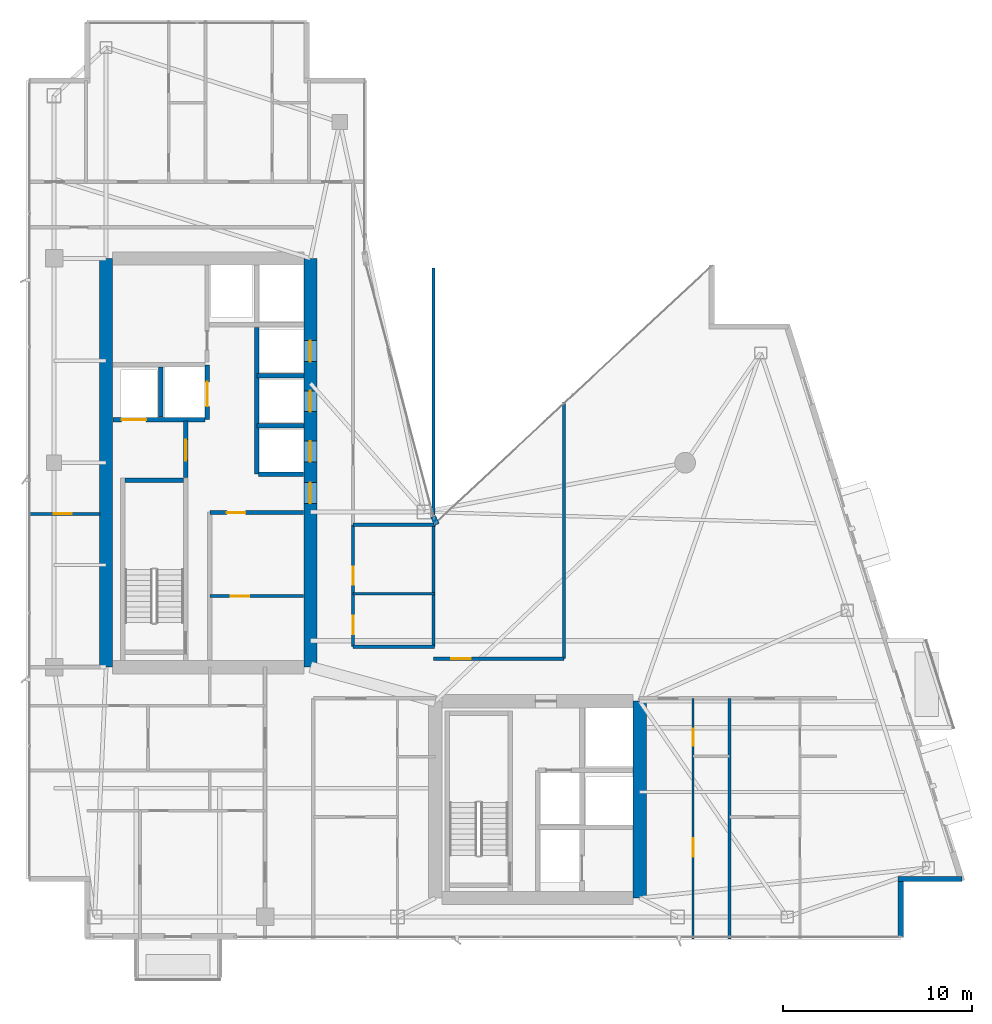
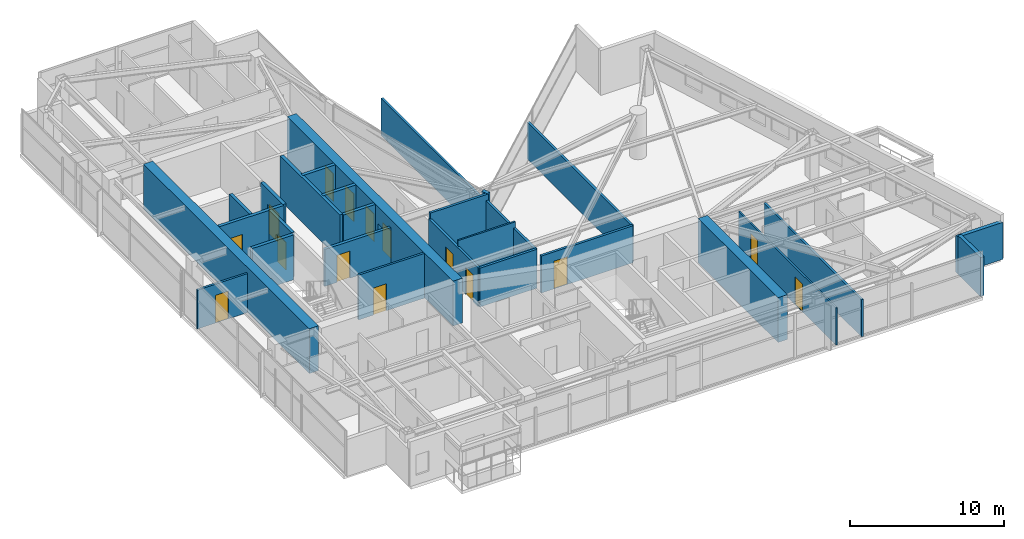
# One storey, part 23 of 27: 28 walls, 15 doors, 15 openings.
"""IFC4 building model written with IfcOpenShell, lengths in metres."""

from ifc_helpers import new_model, si_unit, direction, frame, frame_2d, origin, place, context, subcontext, project, spatial, rectangle, extrude, material, layer, layer_set, type_object, element, fill, save


model = new_model("IFC4")

# Units and contexts
model_context = context("Model", 3, precision=1e-05, world=origin(), true_north=direction((0.0, 1.0)))
body_context = subcontext(model_context, "Body", "Model", "MODEL_VIEW")
ifc_project = project(units=[si_unit("LENGTHUNIT", "METRE"), si_unit("AREAUNIT", "SQUARE_METRE"), si_unit("VOLUMEUNIT", "CUBIC_METRE"), si_unit("PLANEANGLEUNIT", "RADIAN"), si_unit("MASSUNIT", "GRAM", prefix="KILO")], contexts=[model_context])

# Site, building, storey
site_placement = place(None, origin())
site = spatial("IfcSite", under=ifc_project, at=site_placement, CompositionType="ELEMENT")
building_placement = place(site_placement, origin())
building = spatial("IfcBuilding", under=site, at=building_placement, Name="Calvorn Quay Hotel", CompositionType="ELEMENT")
storey_placement = place(building_placement, frame((0.0, 0.0, 223.10009765625)))
storey = spatial("IfcBuildingStorey", under=building, at=storey_placement, Name="L55", CompositionType="ELEMENT", Elevation=223.10009765625)

# Wall
ifc_material_1 = material(Name="Concrete C45", Category="concrete")
ifc_layer_1 = layer(ifc_material_1, 0.699951171875)
ifc_layer_set_1 = layer_set([ifc_layer_1], Name="WL-CORE-700")
wall_type_1 = type_object("IfcWallType", Name="WL-CORE-700", PredefinedType="SHEAR", material=ifc_layer_set_1)
wall_1_placement = place(storey_placement, frame((4.199951171875, 16.800048828125, 0.0), z_axis=(0.0, 0.0, 1.0), x_axis=(0.0, 1.0, 0.0)))
element("IfcWall", 1, at=wall_1_placement, inside=storey, type_object=wall_type_1, Name="West Core Shear Wall W (L55)", PredefinedType="SHEAR", context=body_context, shape_type="SweptSolid", body=[
    extrude(rectangle(XDim=21.599853515625, YDim=0.699951171875, at=frame_2d((10.7998046875, 0.0))), origin(), (0.0, 0.0, 1.0), 3.559814453125),
])

# Wall, openings, doors
wall_2_placement = place(storey_placement, frame((15.0, 16.800048828125, 0.0), z_axis=(0.0, 0.0, 1.0), x_axis=(0.0, 1.0, 0.0)))
wall_2 = element("IfcWall", 2, at=wall_2_placement, inside=storey, type_object=wall_type_1, Name="West Core Shear Wall E (L55)", PredefinedType="SHEAR", context=body_context, shape_type="SweptSolid", body=[
    extrude(rectangle(XDim=21.599853515625, YDim=0.699951171875, at=frame_2d((10.7998046875, 0.0))), origin(), (0.0, 0.0, 1.0), 3.559814453125),
])
opening_1_placement = place(wall_2_placement, frame((8.64990234375, 0.0, 0.0)))
opening_1 = element("IfcOpeningElement", 3, at=opening_1_placement, cuts=wall_2, Name="Opening D-L55-CW1", PredefinedType="OPENING", context=body_context, shape_type="SweptSolid", body=[
    extrude(rectangle(XDim=1.10009765625, YDim=2.199951171875, at=frame_2d((0.550048828125, 1.10009765625))), frame((0.0, 0.35986328125, 0.0), z_axis=(0.0, -1.0, 0.0), x_axis=(1.0, 0.0, 0.0)), (0.0, 0.0, 1.0), 0.719970703125),
])
opening_2_placement = place(wall_2_placement, frame((10.85009765625, 0.0, 0.0)))
opening_2 = element("IfcOpeningElement", 4, at=opening_2_placement, cuts=wall_2, Name="Opening LD-L55-M1", PredefinedType="OPENING", context=body_context, shape_type="SweptSolid", body=[
    extrude(rectangle(XDim=1.10009765625, YDim=2.199951171875, at=frame_2d((0.550048828125, 1.10009765625))), frame((0.0, 0.35986328125, 0.0), z_axis=(0.0, -1.0, 0.0), x_axis=(1.0, 0.0, 0.0)), (0.0, 0.0, 1.0), 0.719970703125),
])
opening_3_placement = place(wall_2_placement, frame((13.5, 0.0, 0.0)))
opening_3 = element("IfcOpeningElement", 5, at=opening_3_placement, cuts=wall_2, Name="Opening LD-L55-M2", PredefinedType="OPENING", context=body_context, shape_type="SweptSolid", body=[
    extrude(rectangle(XDim=1.10009765625, YDim=2.199951171875, at=frame_2d((0.550048828125, 1.10009765625))), frame((0.0, 0.35986328125, 0.0), z_axis=(0.0, -1.0, 0.0), x_axis=(1.0, 0.0, 0.0)), (0.0, 0.0, 1.0), 0.719970703125),
])
opening_4_placement = place(wall_2_placement, frame((16.14990234375, 0.0, 0.0)))
opening_4 = element("IfcOpeningElement", 6, at=opening_4_placement, cuts=wall_2, Name="Opening LD-L55-M3", PredefinedType="OPENING", context=body_context, shape_type="SweptSolid", body=[
    extrude(rectangle(XDim=1.10009765625, YDim=2.199951171875, at=frame_2d((0.550048828125, 1.10009765625))), frame((0.0, 0.35986328125, 0.0), z_axis=(0.0, -1.0, 0.0), x_axis=(1.0, 0.0, 0.0)), (0.0, 0.0, 1.0), 0.719970703125),
])
ifc_material_2 = material(Name="Smoke-Sealed Steel Class A Fire Door", Category="steel")
door_type_1 = type_object("IfcDoorType", Name="DR-FFLOBBY-1100", OperationType="NOTDEFINED", PredefinedType="DOOR", material=ifc_material_2)
door_1_placement = place(opening_1_placement, origin())
door_1 = element("IfcDoor", 7, at=door_1_placement, inside=storey, type_object=door_type_1, Name="West Core Vestibule Fire Door (L55)", OperationType="SINGLE_SWING_RIGHT", OverallHeight=2.199951171875, OverallWidth=1.10009765625, PredefinedType="DOOR", context=body_context, shape_type="SweptSolid", body=[
    extrude(rectangle(XDim=1.10009765625, YDim=2.199951171875, at=frame_2d((0.550048828125, 1.10009765625))), frame((0.0, 0.02490234375, 0.0), z_axis=(0.0, -1.0, 0.0), x_axis=(1.0, 0.0, 0.0)), (0.0, 0.0, 1.0), 0.050048828125),
])
fill(opening_1, door_1)
ifc_material_3 = material(Name="Brushed Stainless Steel Sliding Lift Landing Door", Category="steel")
door_type_2 = type_object("IfcDoorType", Name="DR-LIFT-PASS-1100", OperationType="NOTDEFINED", PredefinedType="DOOR", material=ifc_material_3)
door_2_placement = place(opening_2_placement, origin())
door_2 = element("IfcDoor", 8, at=door_2_placement, inside=storey, type_object=door_type_2, Name="Mid-Rise Lift PL-M1 Landing Door (L55)", OperationType="DOUBLE_DOOR_SLIDING", OverallHeight=2.199951171875, OverallWidth=1.10009765625, PredefinedType="DOOR", context=body_context, shape_type="SweptSolid", body=[
    extrude(rectangle(XDim=1.10009765625, YDim=2.199951171875, at=frame_2d((0.550048828125, 1.10009765625))), frame((0.0, 0.02490234375, 0.0), z_axis=(0.0, -1.0, 0.0), x_axis=(1.0, 0.0, 0.0)), (0.0, 0.0, 1.0), 0.050048828125),
])
fill(opening_2, door_2)
door_3_placement = place(opening_3_placement, origin())
door_3 = element("IfcDoor", 9, at=door_3_placement, inside=storey, type_object=door_type_2, Name="Mid-Rise Lift PL-M2 Landing Door (L55)", OperationType="DOUBLE_DOOR_SLIDING", OverallHeight=2.199951171875, OverallWidth=1.10009765625, PredefinedType="DOOR", context=body_context, shape_type="SweptSolid", body=[
    extrude(rectangle(XDim=1.10009765625, YDim=2.199951171875, at=frame_2d((0.550048828125, 1.10009765625))), frame((0.0, 0.02490234375, 0.0), z_axis=(0.0, -1.0, 0.0), x_axis=(1.0, 0.0, 0.0)), (0.0, 0.0, 1.0), 0.050048828125),
])
fill(opening_3, door_3)
door_4_placement = place(opening_4_placement, origin())
door_4 = element("IfcDoor", 10, at=door_4_placement, inside=storey, type_object=door_type_2, Name="Mid-Rise Lift PL-M3 Landing Door (L55)", OperationType="DOUBLE_DOOR_SLIDING", OverallHeight=2.199951171875, OverallWidth=1.10009765625, PredefinedType="DOOR", context=body_context, shape_type="SweptSolid", body=[
    extrude(rectangle(XDim=1.10009765625, YDim=2.199951171875, at=frame_2d((0.550048828125, 1.10009765625))), frame((0.0, 0.02490234375, 0.0), z_axis=(0.0, -1.0, 0.0), x_axis=(1.0, 0.0, 0.0)), (0.0, 0.0, 1.0), 0.050048828125),
])
fill(opening_4, door_4)

# Walls
wall_3_placement = place(storey_placement, frame((32.39990234375, 4.60009765625, 0.0), z_axis=(0.0, 0.0, 1.0), x_axis=(0.0, 1.0, 0.0)))
element("IfcWall", 11, at=wall_3_placement, inside=storey, type_object=wall_type_1, Name="East Core Shear Wall E (L55)", PredefinedType="SHEAR", context=body_context, shape_type="SweptSolid", body=[
    extrude(rectangle(XDim=10.39990234375, YDim=0.699951171875, at=frame_2d((5.199951171875, 0.0))), origin(), (0.0, 0.0, 1.0), 3.559814453125),
])
ifc_material_4 = material(Name="Acoustic Fireboard Steel-Stud Partition", Category="steel")
ifc_layer_2 = layer(ifc_material_4, 0.179931640625)
ifc_layer_set_2 = layer_set([ifc_layer_2], Name="WL-CORR-FIRE-180")
wall_type_2 = type_object("IfcWallType", Name="WL-CORR-FIRE-180", PredefinedType="PARTITIONING", material=ifc_layer_set_2)
wall_4_placement = place(storey_placement, frame((17.25, 17.8798828125, 0.0), z_axis=(0.0, 0.0, 1.0), x_axis=(1.0, 0.0, 0.0)))
element("IfcWall", 12, at=wall_4_placement, inside=storey, type_object=wall_type_2, Name="Partition Wall L55-WL-HK-S", PredefinedType="PARTITIONING", context=body_context, shape_type="SweptSolid", body=[
    extrude(rectangle(XDim=4.300048828125, YDim=0.179931640625, at=frame_2d((2.14990234375, 0.0))), origin(), (0.0, 0.0, 1.0), 3.08984375),
])
wall_5_placement = place(storey_placement, frame((17.25, 24.320068359375, 0.0), z_axis=(0.0, 0.0, 1.0), x_axis=(1.0, 0.0, 0.0)))
element("IfcWall", 13, at=wall_5_placement, inside=storey, type_object=wall_type_2, Name="Partition Wall L55-WL-HK-N", PredefinedType="PARTITIONING", context=body_context, shape_type="SweptSolid", body=[
    extrude(rectangle(XDim=4.35009765625, YDim=0.179931640625, at=frame_2d((2.175048828125, 0.0))), origin(), (0.0, 0.0, 1.0), 3.559814453125),
])
wall_6_placement = place(storey_placement, frame((21.5, 17.8798828125, 0.0), z_axis=(0.0, 0.0, 1.0), x_axis=(0.0, 1.0, 0.0)))
element("IfcWall", 14, at=wall_6_placement, inside=storey, type_object=wall_type_2, Name="Partition Wall L55-WL-HK-E", PredefinedType="PARTITIONING", context=body_context, shape_type="SweptSolid", body=[
    extrude(rectangle(XDim=6.440185546875, YDim=0.179931640625, at=frame_2d((3.22021484375, 0.0))), origin(), (0.0, 0.0, 1.0), 3.08984375),
])

# Wall, openings, doors
wall_7_placement = place(storey_placement, frame((17.25, 17.8798828125, 0.0), z_axis=(0.0, 0.0, 1.0), x_axis=(0.0, 1.0, 0.0)))
wall_7 = element("IfcWall", 15, at=wall_7_placement, inside=storey, type_object=wall_type_2, Name="Partition Wall L55-WL-HK-W", PredefinedType="PARTITIONING", context=body_context, shape_type="SweptSolid", body=[
    extrude(rectangle(XDim=6.440185546875, YDim=0.179931640625, at=frame_2d((3.22021484375, 0.0))), origin(), (0.0, 0.0, 1.0), 3.08984375),
])
opening_5_placement = place(wall_7_placement, frame((0.64990234375, 0.0, 0.0)))
opening_5 = element("IfcOpeningElement", 16, at=opening_5_placement, cuts=wall_7, Name="Opening D-L55-HK", PredefinedType="OPENING", context=body_context, shape_type="SweptSolid", body=[
    extrude(rectangle(XDim=0.97998046875, YDim=2.14990234375, at=frame_2d((0.489990234375, 1.074951171875))), frame((0.0, 0.099853515625, 0.0), z_axis=(0.0, -1.0, 0.0), x_axis=(1.0, 0.0, 0.0)), (0.0, 0.0, 1.0), 0.199951171875),
])
opening_6_placement = place(wall_7_placement, frame((3.27001953125, 0.0, 0.0)))
opening_6 = element("IfcOpeningElement", 17, at=opening_6_placement, cuts=wall_7, Name="Opening D-L55-NCP", PredefinedType="OPENING", context=body_context, shape_type="SweptSolid", body=[
    extrude(rectangle(XDim=0.9599609375, YDim=2.199951171875, at=frame_2d((0.47998046875, 1.10009765625))), frame((0.0, 0.099853515625, 0.0), z_axis=(0.0, -1.0, 0.0), x_axis=(1.0, 0.0, 0.0)), (0.0, 0.0, 1.0), 0.199951171875),
])
ifc_material_5 = material(Name="Painted Steel Housekeeping/Riser Fire Door", Category="steel")
door_type_3 = type_object("IfcDoorType", Name="DR-SERVICE-980", OperationType="NOTDEFINED", PredefinedType="DOOR", material=ifc_material_5)
door_5_placement = place(opening_5_placement, origin())
door_5 = element("IfcDoor", 18, at=door_5_placement, inside=storey, type_object=door_type_3, Name="Floor Housekeeping Door (L55)", OperationType="SINGLE_SWING_LEFT", OverallHeight=2.14990234375, OverallWidth=0.97998046875, PredefinedType="DOOR", context=body_context, shape_type="SweptSolid", body=[
    extrude(rectangle(XDim=0.97998046875, YDim=2.14990234375, at=frame_2d((0.489990234375, 1.074951171875))), frame((0.0, 0.02490234375, 0.0), z_axis=(0.0, -1.0, 0.0), x_axis=(1.0, 0.0, 0.0)), (0.0, 0.0, 1.0), 0.050048828125),
])
fill(opening_5, door_5)
ifc_material_6 = material(Name="Solid Timber Internal Suite Door", Category="wood")
door_type_4 = type_object("IfcDoorType", Name="DR-SUITE-INT-960", OperationType="NOTDEFINED", PredefinedType="DOOR", material=ifc_material_6)
door_6_placement = place(opening_6_placement, origin())
door_6 = element("IfcDoor", 19, at=door_6_placement, inside=storey, type_object=door_type_4, Name="Reading Alcove Door (L55)", OperationType="SINGLE_SWING_RIGHT", OverallHeight=2.199951171875, OverallWidth=0.9599609375, PredefinedType="DOOR", context=body_context, shape_type="SweptSolid", body=[
    extrude(rectangle(XDim=0.9599609375, YDim=2.199951171875, at=frame_2d((0.47998046875, 1.10009765625))), frame((0.0, 0.02490234375, 0.0), z_axis=(0.0, -1.0, 0.0), x_axis=(1.0, 0.0, 0.0)), (0.0, 0.0, 1.0), 0.050048828125),
])
fill(opening_6, door_6)

# Wall, opening, door
wall_8_placement = place(storey_placement, frame((21.5, 17.25, 0.0), z_axis=(0.0, 0.0, 1.0), x_axis=(1.0, 0.0, 0.0)))
wall_8 = element("IfcWall", 20, at=wall_8_placement, inside=storey, type_object=wall_type_2, Name="Partition Wall L55-WL-CORR-NE-N", PredefinedType="PARTITIONING", context=body_context, shape_type="SweptSolid", body=[
    extrude(rectangle(XDim=6.89990234375, YDim=0.179931640625, at=frame_2d((3.449951171875, 0.0))), origin(), (0.0, 0.0, 1.0), 2.93994140625),
])
opening_7_placement = place(wall_8_placement, frame((0.949951171875, 0.0, 0.0)))
opening_7 = element("IfcOpeningElement", 21, at=opening_7_placement, cuts=wall_8, Name="Opening D-L55-NS1", PredefinedType="OPENING", context=body_context, shape_type="SweptSolid", body=[
    extrude(rectangle(XDim=1.02001953125, YDim=2.199951171875, at=frame_2d((0.510009765625, 1.10009765625))), frame((0.0, 0.099853515625, 0.0), z_axis=(0.0, -1.0, 0.0), x_axis=(1.0, 0.0, 0.0)), (0.0, 0.0, 1.0), 0.199951171875),
])
ifc_material_7 = material(Name="Solid-Core Walnut Veneer Hotel Fire Door")
door_type_5 = type_object("IfcDoorType", Name="DR-GUEST-ENTRY-1020", OperationType="NOTDEFINED", PredefinedType="DOOR", material=ifc_material_7)
door_7_placement = place(opening_7_placement, origin())
door_7 = element("IfcDoor", 22, at=door_7_placement, inside=storey, type_object=door_type_5, Name="Conservatory Salon Door 1 (L55)", OperationType="SINGLE_SWING_RIGHT", OverallHeight=2.199951171875, OverallWidth=1.02001953125, PredefinedType="DOOR", context=body_context, shape_type="SweptSolid", body=[
    extrude(rectangle(XDim=1.02001953125, YDim=2.199951171875, at=frame_2d((0.510009765625, 1.10009765625))), frame((0.0, 0.02490234375, 0.0), z_axis=(0.0, -1.0, 0.0), x_axis=(1.0, 0.0, 0.0)), (0.0, 0.0, 1.0), 0.050048828125),
])
fill(opening_7, door_7)

# Walls
wall_9_placement = place(storey_placement, frame((28.39990234375, 17.25, 0.0), z_axis=(0.0, 0.0, 1.0), x_axis=(0.0, 1.0, 0.0)))
element("IfcWall", 23, at=wall_9_placement, inside=storey, type_object=wall_type_2, Name="Partition Wall L55-WL-NE-END-E", PredefinedType="PARTITIONING", context=body_context, shape_type="SweptSolid", body=[
    extrude(rectangle(XDim=13.56005859375, YDim=0.179931640625, at=frame_2d((6.780029296875, 0.0))), origin(), (0.0, 0.0, 1.0), 2.93994140625),
])
ifc_material_8 = material(Name="Moisture-Resistant Tile-Backed Partition")
ifc_layer_3 = layer(ifc_material_8, 0.125)
ifc_layer_set_3 = layer_set([ifc_layer_3], Name="WL-ENSUITE-125")
wall_type_3 = type_object("IfcWallType", Name="WL-ENSUITE-125", PredefinedType="PARTITIONING", material=ifc_layer_set_3)
wall_10_placement = place(storey_placement, frame((17.25, 20.679931640625, 0.0), z_axis=(0.0, 0.0, 1.0), x_axis=(1.0, 0.0, 0.0)))
element("IfcWall", 24, at=wall_10_placement, inside=storey, type_object=wall_type_3, Name="Partition Wall L55-WL-HK-M", PredefinedType="PARTITIONING", context=body_context, shape_type="SweptSolid", body=[
    extrude(rectangle(XDim=4.300048828125, YDim=0.125, at=frame_2d((2.14990234375, 0.0))), origin(), (0.0, 0.0, 1.0), 3.559814453125),
])

# Wall, openings, doors
wall_11_placement = place(storey_placement, frame((35.219970703125, 2.43994140625, 0.0), z_axis=(0.0, 0.0, 1.0), x_axis=(0.0, 1.0, 0.0)))
wall_11 = element("IfcWall", 25, at=wall_11_placement, inside=storey, type_object=wall_type_3, Name="Partition Wall L55-WL-U06-BV", PredefinedType="PARTITIONING", context=body_context, shape_type="SweptSolid", body=[
    extrude(rectangle(XDim=12.7099609375, YDim=0.125, at=frame_2d((6.35498046875, 0.0))), origin(), (0.0, 0.0, 1.0), 2.93994140625),
])
opening_8_placement = place(wall_11_placement, frame((4.35009765625, 0.0, 0.0)))
opening_8 = element("IfcOpeningElement", 26, at=opening_8_placement, cuts=wall_11, Name="Opening D-L55-S06", PredefinedType="OPENING", context=body_context, shape_type="SweptSolid", body=[
    extrude(rectangle(XDim=0.9599609375, YDim=2.199951171875, at=frame_2d((0.47998046875, 1.10009765625))), frame((0.0, 0.072509765625, 0.0), z_axis=(0.0, -1.0, 0.0), x_axis=(1.0, 0.0, 0.0)), (0.0, 0.0, 1.0), 0.14501953125),
])
opening_9_placement = place(wall_11_placement, frame((10.2099609375, 0.0, 0.0)))
opening_9 = element("IfcOpeningElement", 27, at=opening_9_placement, cuts=wall_11, Name="Opening D-L55-E06", PredefinedType="OPENING", context=body_context, shape_type="SweptSolid", body=[
    extrude(rectangle(XDim=0.89990234375, YDim=2.14990234375, at=frame_2d((0.449951171875, 1.074951171875))), frame((0.0, 0.072509765625, 0.0), z_axis=(0.0, -1.0, 0.0), x_axis=(1.0, 0.0, 0.0)), (0.0, 0.0, 1.0), 0.14501953125),
])
ifc_material_9 = material(Name="Moisture-Sealed Timber En-Suite Door", Category="wood")
door_type_6 = type_object("IfcDoorType", Name="DR-ENSUITE-900", OperationType="NOTDEFINED", PredefinedType="DOOR", material=ifc_material_9)
door_8_placement = place(opening_9_placement, origin())
door_8 = element("IfcDoor", 28, at=door_8_placement, inside=storey, type_object=door_type_6, Name="En-Suite Door 06", OperationType="SINGLE_SWING_RIGHT", OverallHeight=2.14990234375, OverallWidth=0.89990234375, PredefinedType="DOOR", context=body_context, shape_type="SweptSolid", body=[
    extrude(rectangle(XDim=0.89990234375, YDim=2.14990234375, at=frame_2d((0.449951171875, 1.074951171875))), frame((0.0, 0.02490234375, 0.0), z_axis=(0.0, -1.0, 0.0), x_axis=(1.0, 0.0, 0.0)), (0.0, 0.0, 1.0), 0.050048828125),
])
fill(opening_9, door_8)
door_9_placement = place(opening_8_placement, origin())
door_9 = element("IfcDoor", 29, at=door_9_placement, inside=storey, type_object=door_type_4, Name="Private Executive Study Door 06", OperationType="SINGLE_SWING_LEFT", OverallHeight=2.199951171875, OverallWidth=0.9599609375, PredefinedType="DOOR", context=body_context, shape_type="SweptSolid", body=[
    extrude(rectangle(XDim=0.9599609375, YDim=2.199951171875, at=frame_2d((0.47998046875, 1.10009765625))), frame((0.0, 0.02490234375, 0.0), z_axis=(0.0, -1.0, 0.0), x_axis=(1.0, 0.0, 0.0)), (0.0, 0.0, 1.0), 0.050048828125),
])
fill(opening_8, door_9)

# Walls
ifc_material_10 = material(Name="Concrete C40", Category="concrete")
ifc_layer_4 = layer(ifc_material_10, 0.320068359375)
ifc_layer_set_4 = layer_set([ifc_layer_4], Name="WL-EXT-SPANDREL-320")
wall_type_4 = type_object("IfcWallType", Name="WL-EXT-SPANDREL-320", PredefinedType="SOLIDWALL", material=ifc_layer_set_4)
wall_12_placement = place(storey_placement, frame((21.679931640625, 24.340087890625, 0.0), z_axis=(0.0, 0.0, 1.0), x_axis=(-0.40758134973, 0.913168901875, 0.0)))
element("IfcWall", 30, at=wall_12_placement, inside=storey, type_object=wall_type_4, Name="Inner Court Corner Pier L55-ICJ1", PredefinedType="SOLIDWALL", context=body_context, shape_type="SweptSolid", body=[
    extrude(rectangle(XDim=0.470703125, YDim=0.280029296875, at=frame_2d((0.2353515625, 0.0))), origin(), (0.0, 0.0, 1.0), 3.559814453125),
])
wall_13_placement = place(storey_placement, frame((46.199951171875, 2.52001953125, 0.0), z_axis=(0.0, 0.0, 1.0), x_axis=(0.0, 1.0, 0.0)))
element("IfcWall", 31, at=wall_13_placement, inside=storey, type_object=wall_type_4, Name="Notched Corner Spandrel L55-SE1", PredefinedType="SOLIDWALL", context=body_context, shape_type="SweptSolid", body=[
    extrude(rectangle(XDim=2.93994140625, YDim=0.280029296875, at=frame_2d((1.469970703125, 0.0))), origin(), (0.0, 0.0, 1.0), 3.08984375),
])
wall_14_placement = place(storey_placement, frame((46.06005859375, 5.60009765625, 0.0), z_axis=(0.0, 0.0, 1.0), x_axis=(1.0, 0.0, 0.0)))
element("IfcWall", 32, at=wall_14_placement, inside=storey, type_object=wall_type_4, Name="Notched Corner Spandrel L55-SE2", PredefinedType="SOLIDWALL", context=body_context, shape_type="SweptSolid", body=[
    extrude(rectangle(XDim=3.3798828125, YDim=0.280029296875, at=frame_2d((1.68994140625, 0.0))), origin(), (0.0, 0.0, 1.0), 2.93994140625),
])

# Wall, opening, door
ifc_material_11 = material(Name="Double-Stud Acoustic Gypsum Partition")
ifc_layer_5 = layer(ifc_material_11, 0.159912109375)
ifc_layer_set_5 = layer_set([ifc_layer_5], Name="WL-INTERSUITE-160")
wall_type_5 = type_object("IfcWallType", Name="WL-INTERSUITE-160", PredefinedType="PARTITIONING", material=ifc_layer_set_5)
wall_15_placement = place(storey_placement, frame((9.679931640625, 20.550048828125, 0.0), z_axis=(0.0, 0.0, 1.0), x_axis=(1.0, 0.0, 0.0)))
wall_15 = element("IfcWall", 33, at=wall_15_placement, inside=storey, type_object=wall_type_5, Name="Partition Wall L55-WL-CWW-FR-SPLIT", PredefinedType="PARTITIONING", context=body_context, shape_type="SweptSolid", body=[
    extrude(rectangle(XDim=4.949951171875, YDim=0.159912109375, at=frame_2d((2.47509765625, 0.0))), origin(), (0.0, 0.0, 1.0), 3.559814453125),
])
opening_10_placement = place(wall_15_placement, frame((1.10009765625, 0.0, 0.0)))
opening_10 = element("IfcOpeningElement", 34, at=opening_10_placement, cuts=wall_15, Name="Opening D-L55-FRL1", PredefinedType="OPENING", context=body_context, shape_type="SweptSolid", body=[
    extrude(rectangle(XDim=0.97998046875, YDim=2.14990234375, at=frame_2d((0.489990234375, 1.074951171875))), frame((0.0, 0.08984375, 0.0), z_axis=(0.0, -1.0, 0.0), x_axis=(1.0, 0.0, 0.0)), (0.0, 0.0, 1.0), 0.179931640625),
])
door_10_placement = place(opening_10_placement, origin())
door_10 = element("IfcDoor", 35, at=door_10_placement, inside=storey, type_object=door_type_3, Name="Linen Store Room Door (L55)", OperationType="SINGLE_SWING_LEFT", OverallHeight=2.14990234375, OverallWidth=0.97998046875, PredefinedType="DOOR", context=body_context, shape_type="SweptSolid", body=[
    extrude(rectangle(XDim=0.97998046875, YDim=2.14990234375, at=frame_2d((0.489990234375, 1.074951171875))), frame((0.0, 0.02490234375, 0.0), z_axis=(0.0, -1.0, 0.0), x_axis=(1.0, 0.0, 0.0)), (0.0, 0.0, 1.0), 0.050048828125),
])
fill(opening_10, door_10)

wall_16_placement = place(storey_placement, frame((0.080078125, 24.89990234375, 0.0), z_axis=(0.0, 0.0, 1.0), x_axis=(1.0, 0.0, 0.0)))
wall_16 = element("IfcWall", 36, at=wall_16_placement, inside=storey, type_object=wall_type_5, Name="Partition Wall L55-WL-WBAY-DIV", PredefinedType="PARTITIONING", context=body_context, shape_type="SweptSolid", body=[
    extrude(rectangle(XDim=3.7998046875, YDim=0.159912109375, at=frame_2d((1.89990234375, 0.0))), origin(), (0.0, 0.0, 1.0), 3.08984375),
])
opening_11_placement = place(wall_16_placement, frame((1.35009765625, 0.0, 0.0)))
opening_11 = element("IfcOpeningElement", 37, at=opening_11_placement, cuts=wall_16, Name="Opening D-L55-WBD", PredefinedType="OPENING", context=body_context, shape_type="SweptSolid", body=[
    extrude(rectangle(XDim=0.9599609375, YDim=2.199951171875, at=frame_2d((0.47998046875, 1.10009765625))), frame((0.0, 0.08984375, 0.0), z_axis=(0.0, -1.0, 0.0), x_axis=(1.0, 0.0, 0.0)), (0.0, 0.0, 1.0), 0.179931640625),
])
door_11_placement = place(opening_11_placement, origin())
door_11 = element("IfcDoor", 38, at=door_11_placement, inside=storey, type_object=door_type_4, Name="West Bay Connecting Door (L55)", OperationType="SINGLE_SWING_LEFT", OverallHeight=2.199951171875, OverallWidth=0.9599609375, PredefinedType="DOOR", context=body_context, shape_type="SweptSolid", body=[
    extrude(rectangle(XDim=0.9599609375, YDim=2.199951171875, at=frame_2d((0.47998046875, 1.10009765625))), frame((0.0, 0.02490234375, 0.0), z_axis=(0.0, -1.0, 0.0), x_axis=(1.0, 0.0, 0.0)), (0.0, 0.0, 1.0), 0.050048828125),
])
fill(opening_11, door_11)

# Walls
wall_17_placement = place(storey_placement, frame((37.14990234375, 2.43994140625, 0.0), z_axis=(0.0, 0.0, 1.0), x_axis=(0.0, 1.0, 0.0)))
element("IfcWall", 39, at=wall_17_placement, inside=storey, type_object=wall_type_5, Name="Partition Wall L55-WL-SE-DIV-1", PredefinedType="PARTITIONING", context=body_context, shape_type="SweptSolid", body=[
    extrude(rectangle(XDim=12.7099609375, YDim=0.159912109375, at=frame_2d((6.35498046875, 0.0))), origin(), (0.0, 0.0, 1.0), 2.93994140625),
])
wall_18_placement = place(storey_placement, frame((21.5, 24.85009765625, 0.0), z_axis=(0.0, 0.0, 1.0), x_axis=(0.0, 1.0, 0.0)))
element("IfcWall", 40, at=wall_18_placement, inside=storey, type_object=wall_type_5, Name="Partition Wall L55-WL-NC-UPPER-E", PredefinedType="PARTITIONING", context=body_context, shape_type="SweptSolid", body=[
    extrude(rectangle(XDim=13.0498046875, YDim=0.159912109375, at=frame_2d((6.52490234375, 0.0))), origin(), (0.0, 0.0, 1.0), 2.93994140625),
])

# Wall, opening, door
ifc_material_12 = material(Name="Autoclaved Aerated Masonry Block", Category="masonry")
ifc_layer_6 = layer(ifc_material_12, 0.219970703125)
ifc_layer_set_6 = layer_set([ifc_layer_6], Name="WL-LOBBY-FIRE-220")
wall_type_6 = type_object("IfcWallType", Name="WL-LOBBY-FIRE-220", PredefinedType="SOLIDWALL", material=ifc_layer_set_6)
wall_19_placement = place(storey_placement, frame((9.679931640625, 24.969970703125, 0.0), z_axis=(0.0, 0.0, 1.0), x_axis=(1.0, 0.0, 0.0)))
wall_19 = element("IfcWall", 41, at=wall_19_placement, inside=storey, type_object=wall_type_6, Name="Partition Wall L55-WL-CWW-FR-N", PredefinedType="SOLIDWALL", context=body_context, shape_type="SweptSolid", body=[
    extrude(rectangle(XDim=4.949951171875, YDim=0.219970703125, at=frame_2d((2.47509765625, 0.0))), origin(), (0.0, 0.0, 1.0), 2.93994140625),
])
opening_12_placement = place(wall_19_placement, frame((0.89990234375, 0.0, 0.0)))
opening_12 = element("IfcOpeningElement", 42, at=opening_12_placement, cuts=wall_19, Name="Opening D-L55-FRL2", PredefinedType="OPENING", context=body_context, shape_type="SweptSolid", body=[
    extrude(rectangle(XDim=0.97998046875, YDim=2.14990234375, at=frame_2d((0.489990234375, 1.074951171875))), frame((0.0, 0.119873046875, 0.0), z_axis=(0.0, -1.0, 0.0), x_axis=(1.0, 0.0, 0.0)), (0.0, 0.0, 1.0), 0.239990234375),
])
door_12_placement = place(opening_12_placement, origin())
door_12 = element("IfcDoor", 43, at=door_12_placement, inside=storey, type_object=door_type_3, Name="Beverage Pantry Door (L55)", OperationType="SINGLE_SWING_RIGHT", OverallHeight=2.14990234375, OverallWidth=0.97998046875, PredefinedType="DOOR", context=body_context, shape_type="SweptSolid", body=[
    extrude(rectangle(XDim=0.97998046875, YDim=2.14990234375, at=frame_2d((0.489990234375, 1.074951171875))), frame((0.0, 0.02490234375, 0.0), z_axis=(0.0, -1.0, 0.0), x_axis=(1.0, 0.0, 0.0)), (0.0, 0.0, 1.0), 0.050048828125),
])
fill(opening_12, door_12)

# Walls
ifc_material_13 = material(Name="Concrete C40", Category="concrete")
ifc_layer_7 = layer(ifc_material_13, 0.239990234375)
ifc_layer_set_7 = layer_set([ifc_layer_7], Name="WL-SHAFT-240")
wall_type_7 = type_object("IfcWallType", Name="WL-SHAFT-240", PredefinedType="SOLIDWALL", material=ifc_layer_set_7)
wall_20_placement = place(storey_placement, frame((5.199951171875, 26.669921875, 0.0), z_axis=(0.0, 0.0, 1.0), x_axis=(1.0, 0.0, 0.0)))
element("IfcWall", 44, at=wall_20_placement, inside=storey, type_object=wall_type_7, Name="Stair STW Shaft Wall N (L55)", PredefinedType="SOLIDWALL", context=body_context, shape_type="SweptSolid", body=[
    extrude(rectangle(XDim=3.10009765625, YDim=0.239990234375, at=frame_2d((1.550048828125, 0.0))), origin(), (0.0, 0.0, 1.0), 3.559814453125),
])
for number, where, z_axis, x_axis, name in (
    (45, (12.179931640625, 29.550048828125, 0.0), (0.0, 0.0, 1.0), (1.0, 0.0, 0.0), "Lift Hoistway Divider Wall PLM12 (L55)"),
    (46, (12.179931640625, 32.199951171875, 0.0), (0.0, 0.0, 1.0), (1.0, 0.0, 0.0), "Lift Hoistway Divider Wall PLM23 (L55)"),
):
    element("IfcWall", number, at=place(storey_placement, frame(where, z_axis=z_axis, x_axis=x_axis)), inside=storey, type_object=wall_type_7, Name=name, PredefinedType="SOLIDWALL", context=body_context, shape_type="SweptSolid", body=[
        extrude(rectangle(XDim=2.469970703125, YDim=0.239990234375, at=frame_2d((1.23486328125, 0.0))), origin(), (0.0, 0.0, 1.0), 3.559814453125),
    ])

# Wall, opening, door
wall_21_placement = place(storey_placement, frame((8.419921875, 26.820068359375, 0.0), z_axis=(0.0, 0.0, 1.0), x_axis=(0.0, 1.0, 0.0)))
wall_21 = element("IfcWall", 47, at=wall_21_placement, inside=storey, type_object=wall_type_7, Name="Partition Wall L55-WL-CWW-FFL-E", PredefinedType="SOLIDWALL", context=body_context, shape_type="SweptSolid", body=[
    extrude(rectangle(XDim=3.0, YDim=0.239990234375, at=frame_2d((1.5, 0.0))), origin(), (0.0, 0.0, 1.0), 3.559814453125),
])
opening_13_placement = place(wall_21_placement, frame((0.89990234375, 0.0, 0.0)))
opening_13 = element("IfcOpeningElement", 48, at=opening_13_placement, cuts=wall_21, Name="Opening D-L55-FLW", PredefinedType="OPENING", context=body_context, shape_type="SweptSolid", body=[
    extrude(rectangle(XDim=1.10009765625, YDim=2.199951171875, at=frame_2d((0.550048828125, 1.10009765625))), frame((0.0, 0.1298828125, 0.0), z_axis=(0.0, -1.0, 0.0), x_axis=(1.0, 0.0, 0.0)), (0.0, 0.0, 1.0), 0.260009765625),
])
door_13_placement = place(opening_13_placement, origin())
door_13 = element("IfcDoor", 49, at=door_13_placement, inside=storey, type_object=door_type_1, Name="West Firefighting Lobby Fire Door (L55)", OperationType="SINGLE_SWING_RIGHT", OverallHeight=2.199951171875, OverallWidth=1.10009765625, PredefinedType="DOOR", context=body_context, shape_type="SweptSolid", body=[
    extrude(rectangle(XDim=1.10009765625, YDim=2.199951171875, at=frame_2d((0.550048828125, 1.10009765625))), frame((0.0, 0.02490234375, 0.0), z_axis=(0.0, -1.0, 0.0), x_axis=(1.0, 0.0, 0.0)), (0.0, 0.0, 1.0), 0.050048828125),
])
fill(opening_13, door_13)

wall_22_placement = place(storey_placement, frame((4.570068359375, 29.8798828125, 0.0), z_axis=(0.0, 0.0, 1.0), x_axis=(1.0, 0.0, 0.0)))
wall_22 = element("IfcWall", 50, at=wall_22_placement, inside=storey, type_object=wall_type_7, Name="Partition Wall L55-WL-CWW-FLW-S", PredefinedType="SOLIDWALL", context=body_context, shape_type="SweptSolid", body=[
    extrude(rectangle(XDim=4.849853515625, YDim=0.239990234375, at=frame_2d((2.4248046875, 0.0))), origin(), (0.0, 0.0, 1.0), 3.559814453125),
])
opening_14_placement = place(wall_22_placement, frame((0.449951171875, 0.0, 0.0)))
opening_14 = element("IfcOpeningElement", 51, at=opening_14_placement, cuts=wall_22, Name="Opening LD-L55-FLW1", PredefinedType="OPENING", context=body_context, shape_type="SweptSolid", body=[
    extrude(rectangle(XDim=1.300048828125, YDim=2.35009765625, at=frame_2d((0.64990234375, 1.175048828125))), frame((0.0, 0.1298828125, 0.0), z_axis=(0.0, -1.0, 0.0), x_axis=(1.0, 0.0, 0.0)), (0.0, 0.0, 1.0), 0.260009765625),
])
ifc_material_14 = material(Name="Champagne-Bronze Sliding Express Lift Landing Door")
door_type_7 = type_object("IfcDoorType", Name="DR-LIFT-SHUTTLE-1300", OperationType="NOTDEFINED", PredefinedType="DOOR", material=ifc_material_14)
door_14_placement = place(opening_14_placement, origin())
door_14 = element("IfcDoor", 52, at=door_14_placement, inside=storey, type_object=door_type_7, Name="Firefighting Lift FL-W1 Landing Door (L55)", OperationType="DOUBLE_DOOR_SLIDING", OverallHeight=2.35009765625, OverallWidth=1.300048828125, PredefinedType="DOOR", context=body_context, shape_type="SweptSolid", body=[
    extrude(rectangle(XDim=1.300048828125, YDim=2.35009765625, at=frame_2d((0.64990234375, 1.175048828125))), frame((0.0, 0.02490234375, 0.0), z_axis=(0.0, -1.0, 0.0), x_axis=(1.0, 0.0, 0.0)), (0.0, 0.0, 1.0), 0.050048828125),
])
fill(opening_14, door_14)

# Wall
wall_23_placement = place(storey_placement, frame((7.10009765625, 30.02001953125, 0.0), z_axis=(0.0, 0.0, 1.0), x_axis=(0.0, 1.0, 0.0)))
element("IfcWall", 53, at=wall_23_placement, inside=storey, type_object=wall_type_7, Name="Partition Wall L55-WL-CWW-FLW-DIV", PredefinedType="SOLIDWALL", context=body_context, shape_type="SweptSolid", body=[
    extrude(rectangle(XDim=2.6298828125, YDim=0.239990234375, at=frame_2d((1.31494140625, 0.0))), origin(), (0.0, 0.0, 1.0), 3.559814453125),
])

# Wall, opening, door
wall_24_placement = place(storey_placement, frame((9.5400390625, 29.8798828125, 0.0), z_axis=(0.0, 0.0, 1.0), x_axis=(0.0, 1.0, 0.0)))
wall_24 = element("IfcWall", 54, at=wall_24_placement, inside=storey, type_object=wall_type_7, Name="Partition Wall L55-WL-CWW-SLW-E", PredefinedType="SOLIDWALL", context=body_context, shape_type="SweptSolid", body=[
    extrude(rectangle(XDim=2.900146484375, YDim=0.239990234375, at=frame_2d((1.4501953125, 0.0))), origin(), (0.0, 0.0, 1.0), 3.559814453125),
])
opening_15_placement = place(wall_24_placement, frame((0.699951171875, 0.0, 0.0)))
opening_15 = element("IfcOpeningElement", 55, at=opening_15_placement, cuts=wall_24, Name="Opening LD-L55-SLW1", PredefinedType="OPENING", context=body_context, shape_type="SweptSolid", body=[
    extrude(rectangle(XDim=1.300048828125, YDim=2.35009765625, at=frame_2d((0.64990234375, 1.175048828125))), frame((0.0, 0.1298828125, 0.0), z_axis=(0.0, -1.0, 0.0), x_axis=(1.0, 0.0, 0.0)), (0.0, 0.0, 1.0), 0.260009765625),
])
door_15_placement = place(opening_15_placement, origin())
door_15 = element("IfcDoor", 56, at=door_15_placement, inside=storey, type_object=door_type_7, Name="Service Lift SL-W1 Landing Door (L55)", OperationType="DOUBLE_DOOR_SLIDING", OverallHeight=2.35009765625, OverallWidth=1.300048828125, PredefinedType="DOOR", context=body_context, shape_type="SweptSolid", body=[
    extrude(rectangle(XDim=1.300048828125, YDim=2.35009765625, at=frame_2d((0.64990234375, 1.175048828125))), frame((0.0, 0.02490234375, 0.0), z_axis=(0.0, -1.0, 0.0), x_axis=(1.0, 0.0, 0.0)), (0.0, 0.0, 1.0), 0.050048828125),
])
fill(opening_15, door_15)

# Walls
wall_25_placement = place(storey_placement, frame((12.25, 27.0, 0.0), z_axis=(0.0, 0.0, 1.0), x_axis=(1.0, 0.0, 0.0)))
element("IfcWall", 57, at=wall_25_placement, inside=storey, type_object=wall_type_7, Name="Partition Wall L55-WL-CWW-PLM-S", PredefinedType="SOLIDWALL", context=body_context, shape_type="SweptSolid", body=[
    extrude(rectangle(XDim=2.3798828125, YDim=0.239990234375, at=frame_2d((1.18994140625, 0.0))), origin(), (0.0, 0.0, 1.0), 3.559814453125),
])
wall_26_placement = place(storey_placement, frame((12.14990234375, 27.0, 0.0), z_axis=(0.0, 0.0, 1.0), x_axis=(0.0, 1.0, 0.0)))
element("IfcWall", 58, at=wall_26_placement, inside=storey, type_object=wall_type_7, Name="Partition Wall L55-WL-CWW-PLM-W", PredefinedType="SOLIDWALL", context=body_context, shape_type="SweptSolid", body=[
    extrude(rectangle(XDim=7.75, YDim=0.239990234375, at=frame_2d((3.875, 0.0))), origin(), (0.0, 0.0, 1.0), 3.559814453125),
])

save(model, "model.ifc")
